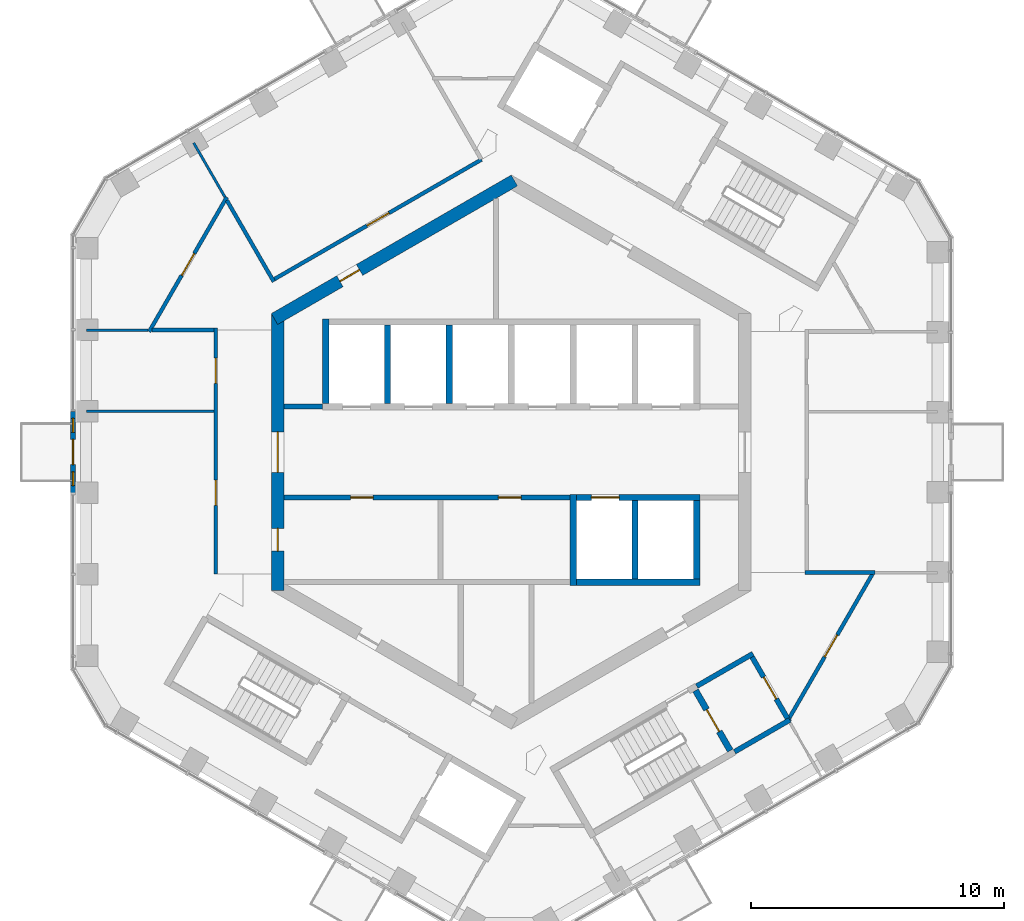
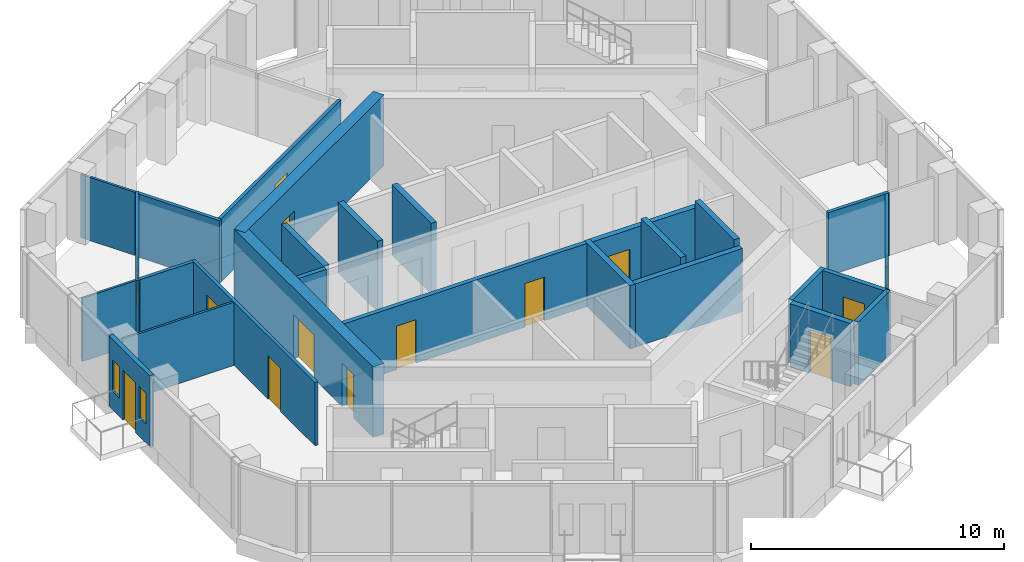
# One storey, part 14 of 19: 27 walls, 14 doors, 2 windows, 16 openings.
"""IFC4 building model written with IfcOpenShell, lengths in metres."""

from ifc_helpers import new_model, si_unit, direction, frame, frame_2d, origin, place, context, subcontext, project, spatial, rectangle, extrude, material, layer, layer_set, type_object, element, fill, save


model = new_model("IFC4")

# Units and contexts
model_context = context("Model", 3, precision=1e-05, world=origin(), true_north=direction((0.0, 1.0)))
body_context = subcontext(model_context, "Body", "Model", "MODEL_VIEW")
ifc_project = project(units=[si_unit("LENGTHUNIT", "METRE"), si_unit("AREAUNIT", "SQUARE_METRE"), si_unit("VOLUMEUNIT", "CUBIC_METRE"), si_unit("PLANEANGLEUNIT", "RADIAN"), si_unit("MASSUNIT", "GRAM", prefix="KILO")], contexts=[model_context])

# Site, building, storey
site_placement = place(None, origin())
site = spatial("IfcSite", under=ifc_project, at=site_placement, CompositionType="ELEMENT")
building_placement = place(site_placement, origin())
building = spatial("IfcBuilding", under=site, at=building_placement, Name="Ayvan Gate Tower", CompositionType="ELEMENT")
storey_placement = place(building_placement, frame((0.0, 0.0, 222.300048828125)))
storey = spatial("IfcBuildingStorey", under=building, at=storey_placement, Name="L59", CompositionType="ELEMENT", Elevation=222.300048828125)

# Wall, openings, door, windows
ifc_material_1 = material(Name="Insulated metal panel wall")
ifc_layer_1 = layer(ifc_material_1, 0.199951171875)
ifc_layer_set_1 = layer_set([ifc_layer_1], Name="Insulated metal panel wall")
wall_type_1 = type_object("IfcWallType", Name="Balcony door wall 200", PredefinedType="SOLIDWALL", material=ifc_layer_set_1)
wall_1_placement = place(storey_placement, frame((-17.35302734375, 1.6142578125, 0.0), z_axis=(0.0, 0.0, 1.0), x_axis=(0.0, -1.0, 0.0)))
wall_1 = element("IfcWall", 1, at=wall_1_placement, inside=storey, type_object=wall_type_1, Name="EW:L59:3:2", PredefinedType="SOLIDWALL", context=body_context, shape_type="SweptSolid", body=[
    extrude(rectangle(XDim=3.22802734375, YDim=0.199951171875, at=frame_2d((1.614013671875, 0.0))), origin(), (0.0, 0.0, 1.0), 3.39990234375),
])
opening_1_placement = place(wall_1_placement, frame((1.114013671875, 0.0, 0.0)))
opening_1 = element("IfcOpeningElement", 2, at=opening_1_placement, cuts=wall_1, Name="Opening L59-D93", PredefinedType="OPENING", context=body_context, shape_type="SweptSolid", body=[
    extrude(rectangle(XDim=1.0, YDim=2.39990234375, at=frame_2d((0.5, 1.199951171875))), frame((0.0, 0.10986328125, 0.0), z_axis=(0.0, -1.0, 0.0), x_axis=(1.0, 0.0, 0.0)), (0.0, 0.0, 1.0), 0.219970703125),
])
opening_2_placement = place(wall_1_placement, frame((0.281982421875, 0.0, 0.89990234375)))
opening_2 = element("IfcOpeningElement", 3, at=opening_2_placement, cuts=wall_1, Name="Opening W-B4", PredefinedType="OPENING", context=body_context, shape_type="SweptSolid", body=[
    extrude(rectangle(XDim=0.550048828125, YDim=1.5, at=frame_2d((0.27490234375, 0.75))), frame((0.0, 0.10986328125, 0.0), z_axis=(0.0, -1.0, 0.0), x_axis=(1.0, 0.0, 0.0)), (0.0, 0.0, 1.0), 0.219970703125),
])
opening_3_placement = place(wall_1_placement, frame((2.39599609375, 0.0, 0.89990234375)))
opening_3 = element("IfcOpeningElement", 4, at=opening_3_placement, cuts=wall_1, Name="Opening W-B4", PredefinedType="OPENING", context=body_context, shape_type="SweptSolid", body=[
    extrude(rectangle(XDim=0.550048828125, YDim=1.5, at=frame_2d((0.27490234375, 0.75))), frame((0.0, 0.10986328125, 0.0), z_axis=(0.0, -1.0, 0.0), x_axis=(1.0, 0.0, 0.0)), (0.0, 0.0, 1.0), 0.219970703125),
])
ifc_material_2 = material(Name="Bronze anodised aluminium and clear glass", Category="aluminium")
door_type_1 = type_object("IfcDoorType", Name="Balcony door D-B", OperationType="SINGLE_SWING_RIGHT", PredefinedType="DOOR", material=ifc_material_2)
door_1_placement = place(opening_1_placement, origin())
door_1 = element("IfcDoor", 5, at=door_1_placement, inside=storey, type_object=door_type_1, Name="Balcony door BAL-L59-3", OperationType="SINGLE_SWING_RIGHT", OverallHeight=2.39990234375, OverallWidth=1.0, PredefinedType="DOOR", context=body_context, shape_type="SweptSolid", body=[
    extrude(rectangle(XDim=1.0, YDim=2.39990234375, at=frame_2d((0.5, 1.199951171875))), frame((0.0, 0.02490234375, 0.0), z_axis=(0.0, -1.0, 0.0), x_axis=(1.0, 0.0, 0.0)), (0.0, 0.0, 1.0), 0.050048828125),
])
fill(opening_1, door_1)
window_type = type_object("IfcWindowType", Name="Balcony side light W-B Z4", PartitioningType="SINGLE_PANEL", PredefinedType="WINDOW", material=ifc_material_2)
window_1_placement = place(opening_2_placement, origin())
window_1 = element("IfcWindow", 6, at=window_1_placement, inside=storey, type_object=window_type, Name="Balcony side light BAL-L59-3.1", OverallHeight=1.5, OverallWidth=0.550048828125, PartitioningType="SINGLE_PANEL", PredefinedType="WINDOW", context=body_context, shape_type="SweptSolid", body=[
    extrude(rectangle(XDim=0.550048828125, YDim=1.5, at=frame_2d((0.27490234375, 0.75))), frame((0.0, 0.030029296875, 0.0), z_axis=(0.0, -1.0, 0.0), x_axis=(1.0, 0.0, 0.0)), (0.0, 0.0, 1.0), 0.06005859375),
])
fill(opening_2, window_1)
window_2_placement = place(opening_3_placement, origin())
window_2 = element("IfcWindow", 7, at=window_2_placement, inside=storey, type_object=window_type, Name="Balcony side light BAL-L59-3.2", OverallHeight=1.5, OverallWidth=0.550048828125, PartitioningType="SINGLE_PANEL", PredefinedType="WINDOW", context=body_context, shape_type="SweptSolid", body=[
    extrude(rectangle(XDim=0.550048828125, YDim=1.5, at=frame_2d((0.27490234375, 0.75))), frame((0.0, 0.030029296875, 0.0), z_axis=(0.0, -1.0, 0.0), x_axis=(1.0, 0.0, 0.0)), (0.0, 0.0, 1.0), 0.06005859375),
])
fill(opening_3, window_2)

# Wall, opening, door
ifc_material_3 = material(Name="Concrete C60/75", Category="concrete")
ifc_layer_2 = layer(ifc_material_3, 0.5)
ifc_layer_set_2 = layer_set([ifc_layer_2], Name="Concrete C60/75")
wall_type_2 = type_object("IfcWallType", Name="Core wall 500 C60/75", PredefinedType="SHEAR", material=ifc_layer_set_2)
wall_2_placement = place(storey_placement, frame((0.125, 10.753173828125, 0.0), z_axis=(0.0, 0.0, 1.0), x_axis=(-0.866023993627, -0.500002442456, 0.0)))
wall_2 = element("IfcWall", 8, at=wall_2_placement, inside=storey, type_object=wall_type_2, Name="CORE-L59-2", PredefinedType="SHEAR", context=body_context, shape_type="SweptSolid", body=[
    extrude(rectangle(XDim=10.9697265625, YDim=0.5, at=frame_2d((5.48486328125, 0.0))), origin(), (0.0, 0.0, 1.0), 3.39990234375),
])
opening_4_placement = place(wall_2_placement, frame((7.079833984375, 0.0, 0.0)))
opening_4 = element("IfcOpeningElement", 9, at=opening_4_placement, cuts=wall_2, Name="Opening L59-D96", PredefinedType="OPENING", context=body_context, shape_type="SweptSolid", body=[
    extrude(rectangle(XDim=0.89990234375, YDim=2.10009765625, at=frame_2d((0.449951171875, 1.050048828125))), frame((0.0, 0.260009765625, 0.0), z_axis=(0.0, -1.0, 0.0), x_axis=(1.0, 0.0, 0.0)), (0.0, 0.0, 1.0), 0.52001953125),
])
ifc_material_4 = material(Name="Timber door leaf", Category="wood")
door_type_2 = type_object("IfcDoorType", Name="DT-900", OperationType="NOTDEFINED", PredefinedType="DOOR", material=ifc_material_4)
door_2_placement = place(opening_4_placement, origin())
door_2 = element("IfcDoor", 10, at=door_2_placement, inside=storey, type_object=door_type_2, Name="CD-L59-96", OperationType="SINGLE_SWING_LEFT", OverallHeight=2.10009765625, OverallWidth=0.89990234375, PredefinedType="DOOR", context=body_context, shape_type="SweptSolid", body=[
    extrude(rectangle(XDim=0.89990234375, YDim=2.10009765625, at=frame_2d((0.449951171875, 1.050048828125))), frame((0.0, 0.02490234375, 0.0), z_axis=(0.0, -1.0, 0.0), x_axis=(1.0, 0.0, 0.0)), (0.0, 0.0, 1.0), 0.050048828125),
])
fill(opening_4, door_2)

# Wall, openings, doors
wall_3_placement = place(storey_placement, frame((-9.25, 5.48486328125, 0.0), z_axis=(0.0, 0.0, 1.0), x_axis=(0.0, -1.0, 0.0)))
wall_3 = element("IfcWall", 11, at=wall_3_placement, inside=storey, type_object=wall_type_2, Name="CORE-L59-3", PredefinedType="SHEAR", context=body_context, shape_type="SweptSolid", body=[
    extrude(rectangle(XDim=10.9697265625, YDim=0.5, at=frame_2d((5.48486328125, 0.0))), origin(), (0.0, 0.0, 1.0), 3.39990234375),
])
opening_5_placement = place(wall_3_placement, frame((8.509765625, 0.0, 0.0)))
opening_5 = element("IfcOpeningElement", 12, at=opening_5_placement, cuts=wall_3, Name="Opening L59-D101", PredefinedType="OPENING", context=body_context, shape_type="SweptSolid", body=[
    extrude(rectangle(XDim=0.89990234375, YDim=2.10009765625, at=frame_2d((0.449951171875, 1.050048828125))), frame((0.0, 0.260009765625, 0.0), z_axis=(0.0, -1.0, 0.0), x_axis=(1.0, 0.0, 0.0)), (0.0, 0.0, 1.0), 0.52001953125),
])
opening_6_placement = place(wall_3_placement, frame((4.684814453125, 0.0, 0.0)))
opening_6 = element("IfcOpeningElement", 13, at=opening_6_placement, cuts=wall_3, Name="Opening L59-D103", PredefinedType="OPENING", context=body_context, shape_type="SweptSolid", body=[
    extrude(rectangle(XDim=1.60009765625, YDim=2.10009765625, at=frame_2d((0.800048828125, 1.050048828125))), frame((0.0, 0.260009765625, 0.0), z_axis=(0.0, -1.0, 0.0), x_axis=(1.0, 0.0, 0.0)), (0.0, 0.0, 1.0), 0.52001953125),
])
door_type_3 = type_object("IfcDoorType", Name="DT-1600", OperationType="NOTDEFINED", PredefinedType="DOOR", material=ifc_material_4)
door_3_placement = place(opening_6_placement, origin())
door_3 = element("IfcDoor", 14, at=door_3_placement, inside=storey, type_object=door_type_3, Name="CD-L59-103", OperationType="SINGLE_SWING_RIGHT", OverallHeight=2.10009765625, OverallWidth=1.60009765625, PredefinedType="DOOR", context=body_context, shape_type="SweptSolid", body=[
    extrude(rectangle(XDim=1.60009765625, YDim=2.10009765625, at=frame_2d((0.800048828125, 1.050048828125))), frame((0.0, 0.02490234375, 0.0), z_axis=(0.0, -1.0, 0.0), x_axis=(1.0, 0.0, 0.0)), (0.0, 0.0, 1.0), 0.050048828125),
])
fill(opening_6, door_3)
door_4_placement = place(opening_5_placement, origin())
door_4 = element("IfcDoor", 15, at=door_4_placement, inside=storey, type_object=door_type_2, Name="CD-L59-101", OperationType="SINGLE_SWING_RIGHT", OverallHeight=2.10009765625, OverallWidth=0.89990234375, PredefinedType="DOOR", context=body_context, shape_type="SweptSolid", body=[
    extrude(rectangle(XDim=0.89990234375, YDim=2.10009765625, at=frame_2d((0.449951171875, 1.050048828125))), frame((0.0, 0.02490234375, 0.0), z_axis=(0.0, -1.0, 0.0), x_axis=(1.0, 0.0, 0.0)), (0.0, 0.0, 1.0), 0.050048828125),
])
fill(opening_5, door_4)

# Wall, opening, door
ifc_material_5 = material(Name="Plasterboard on steel stud", Category="steel")
ifc_layer_3 = layer(ifc_material_5, 0.14990234375)
ifc_layer_set_3 = layer_set([ifc_layer_3], Name="Plasterboard on steel stud")
wall_type_3 = type_object("IfcWallType", Name="WT-CORR-150", PredefinedType="PARTITIONING", material=ifc_layer_set_3)
wall_4_placement = place(storey_placement, frame((-14.339599609375, 4.766357421875, 0.0), z_axis=(0.0, 0.0, 1.0), x_axis=(0.500003992843, 0.866023098503, 0.0)))
wall_4 = element("IfcWall", 16, at=wall_4_placement, inside=storey, type_object=wall_type_3, Name="IW-L59-001", PredefinedType="PARTITIONING", context=body_context, shape_type="SweptSolid", body=[
    extrude(rectangle(XDim=6.1552734375, YDim=0.14990234375, at=frame_2d((3.07763671875, 0.0))), origin(), (0.0, 0.0, 1.0), 3.050048828125),
])
opening_7_placement = place(wall_4_placement, frame((2.57763671875, 0.0, 0.0)))
opening_7 = element("IfcOpeningElement", 17, at=opening_7_placement, cuts=wall_4, Name="Opening L59-D27", PredefinedType="OPENING", context=body_context, shape_type="SweptSolid", body=[
    extrude(rectangle(XDim=1.0, YDim=2.10009765625, at=frame_2d((0.5, 1.050048828125))), frame((0.0, 0.0849609375, 0.0), z_axis=(0.0, -1.0, 0.0), x_axis=(1.0, 0.0, 0.0)), (0.0, 0.0, 1.0), 0.169921875),
])
door_type_4 = type_object("IfcDoorType", Name="DT-1000", OperationType="NOTDEFINED", PredefinedType="DOOR", material=ifc_material_4)
door_5_placement = place(opening_7_placement, origin())
door_5 = element("IfcDoor", 18, at=door_5_placement, inside=storey, type_object=door_type_4, Name="ID-L59-027", OperationType="SINGLE_SWING_RIGHT", OverallHeight=2.10009765625, OverallWidth=1.0, PredefinedType="DOOR", context=body_context, shape_type="SweptSolid", body=[
    extrude(rectangle(XDim=1.0, YDim=2.10009765625, at=frame_2d((0.5, 1.050048828125))), frame((0.0, 0.02490234375, 0.0), z_axis=(0.0, -1.0, 0.0), x_axis=(1.0, 0.0, 0.0)), (0.0, 0.0, 1.0), 0.050048828125),
])
fill(opening_7, door_5)

# Wall, openings, doors
wall_5_placement = place(storey_placement, frame((-11.699951171875, -4.831298828125, 0.0), z_axis=(0.0, 0.0, 1.0), x_axis=(0.0, 1.0, 0.0)))
wall_5 = element("IfcWall", 19, at=wall_5_placement, inside=storey, type_object=wall_type_3, Name="IW-L59-005", PredefinedType="PARTITIONING", context=body_context, shape_type="SweptSolid", body=[
    extrude(rectangle(XDim=9.737548828125, YDim=0.14990234375, at=frame_2d((4.86865234375, 0.0))), origin(), (0.0, 0.0, 1.0), 3.050048828125),
])
opening_8_placement = place(wall_5_placement, frame((7.55224609375, 0.0, 0.0)))
opening_8 = element("IfcOpeningElement", 20, at=opening_8_placement, cuts=wall_5, Name="Opening L59-D28", PredefinedType="OPENING", context=body_context, shape_type="SweptSolid", body=[
    extrude(rectangle(XDim=1.0, YDim=2.10009765625, at=frame_2d((0.5, 1.050048828125))), frame((0.0, 0.0849609375, 0.0), z_axis=(0.0, -1.0, 0.0), x_axis=(1.0, 0.0, 0.0)), (0.0, 0.0, 1.0), 0.169921875),
])
opening_9_placement = place(wall_5_placement, frame((2.720458984375, 0.0, 0.0)))
opening_9 = element("IfcOpeningElement", 21, at=opening_9_placement, cuts=wall_5, Name="Opening L59-D29", PredefinedType="OPENING", context=body_context, shape_type="SweptSolid", body=[
    extrude(rectangle(XDim=1.0, YDim=2.10009765625, at=frame_2d((0.5, 1.050048828125))), frame((0.0, 0.0849609375, 0.0), z_axis=(0.0, -1.0, 0.0), x_axis=(1.0, 0.0, 0.0)), (0.0, 0.0, 1.0), 0.169921875),
])
door_6_placement = place(opening_8_placement, origin())
door_6 = element("IfcDoor", 22, at=door_6_placement, inside=storey, type_object=door_type_4, Name="ID-L59-028", OperationType="SINGLE_SWING_LEFT", OverallHeight=2.10009765625, OverallWidth=1.0, PredefinedType="DOOR", context=body_context, shape_type="SweptSolid", body=[
    extrude(rectangle(XDim=1.0, YDim=2.10009765625, at=frame_2d((0.5, 1.050048828125))), frame((0.0, 0.02490234375, 0.0), z_axis=(0.0, -1.0, 0.0), x_axis=(1.0, 0.0, 0.0)), (0.0, 0.0, 1.0), 0.050048828125),
])
fill(opening_8, door_6)
door_7_placement = place(opening_9_placement, origin())
door_7 = element("IfcDoor", 23, at=door_7_placement, inside=storey, type_object=door_type_4, Name="ID-L59-029", OperationType="SINGLE_SWING_RIGHT", OverallHeight=2.10009765625, OverallWidth=1.0, PredefinedType="DOOR", context=body_context, shape_type="SweptSolid", body=[
    extrude(rectangle(XDim=1.0, YDim=2.10009765625, at=frame_2d((0.5, 1.050048828125))), frame((0.0, 0.02490234375, 0.0), z_axis=(0.0, -1.0, 0.0), x_axis=(1.0, 0.0, 0.0)), (0.0, 0.0, 1.0), 0.050048828125),
])
fill(opening_9, door_7)

# Walls
wall_6_placement = place(storey_placement, frame((-11.77490234375, 4.831298828125, 0.0), z_axis=(0.0, 0.0, 1.0), x_axis=(-1.0, 0.0, 0.0)))
element("IfcWall", 24, at=wall_6_placement, inside=storey, type_object=wall_type_3, Name="IW-L59-007", PredefinedType="PARTITIONING", context=body_context, shape_type="SweptSolid", body=[
    extrude(rectangle(XDim=2.4521484375, YDim=0.14990234375, at=frame_2d((1.22607421875, 0.0))), origin(), (0.0, 0.0, 1.0), 3.050048828125),
])
wall_7_placement = place(storey_placement, frame((-11.261962890625, 9.967041015625, 0.0), z_axis=(0.0, 0.0, 1.0), x_axis=(0.499995303914, -0.866028115054, 0.0)))
element("IfcWall", 25, at=wall_7_placement, inside=storey, type_object=wall_type_3, Name="IW-L59-008", PredefinedType="PARTITIONING", context=body_context, shape_type="SweptSolid", body=[
    extrude(rectangle(XDim=3.7177734375, YDim=0.14990234375, at=frame_2d((1.85888671875, 0.0))), origin(), (0.0, 0.0, 1.0), 3.050048828125),
])

# Wall, opening, door
wall_8_placement = place(storey_placement, frame((-9.375732421875, 6.849853515625, 0.0), z_axis=(0.0, 0.0, 1.0), x_axis=(0.866029654818, 0.499992636921, 0.0)))
wall_8 = element("IfcWall", 26, at=wall_8_placement, inside=storey, type_object=wall_type_3, Name="IW-L59-009", PredefinedType="PARTITIONING", context=body_context, shape_type="SweptSolid", body=[
    extrude(rectangle(XDim=9.464599609375, YDim=0.14990234375, at=frame_2d((4.732421875, 0.0))), origin(), (0.0, 0.0, 1.0), 3.050048828125),
])
opening_10_placement = place(wall_8_placement, frame((4.232177734375, 0.0, 0.0)))
opening_10 = element("IfcOpeningElement", 27, at=opening_10_placement, cuts=wall_8, Name="Opening L59-D35", PredefinedType="OPENING", context=body_context, shape_type="SweptSolid", body=[
    extrude(rectangle(XDim=1.0, YDim=2.10009765625, at=frame_2d((0.5, 1.050048828125))), frame((0.0, 0.0849609375, 0.0), z_axis=(0.0, -1.0, 0.0), x_axis=(1.0, 0.0, 0.0)), (0.0, 0.0, 1.0), 0.169921875),
])
door_8_placement = place(opening_10_placement, origin())
door_8 = element("IfcDoor", 28, at=door_8_placement, inside=storey, type_object=door_type_4, Name="ID-L59-035", OperationType="SINGLE_SWING_RIGHT", OverallHeight=2.10009765625, OverallWidth=1.0, PredefinedType="DOOR", context=body_context, shape_type="SweptSolid", body=[
    extrude(rectangle(XDim=1.0, YDim=2.10009765625, at=frame_2d((0.5, 1.050048828125))), frame((0.0, 0.02490234375, 0.0), z_axis=(0.0, -1.0, 0.0), x_axis=(1.0, 0.0, 0.0)), (0.0, 0.0, 1.0), 0.050048828125),
])
fill(opening_10, door_8)

# Wall
wall_9_placement = place(storey_placement, frame((11.625, -4.769775390625, 0.0), z_axis=(0.0, 0.0, 1.0), x_axis=(1.0, 0.0, 0.0)))
element("IfcWall", 29, at=wall_9_placement, inside=storey, type_object=wall_type_3, Name="IW-L59-069", PredefinedType="PARTITIONING", context=body_context, shape_type="SweptSolid", body=[
    extrude(rectangle(XDim=2.78759765625, YDim=0.14990234375, at=frame_2d((1.393798828125, 0.0))), origin(), (0.0, 0.0, 1.0), 3.050048828125),
])

# Wall, opening, door
wall_10_placement = place(storey_placement, frame((14.30029296875, -4.834716796875, 0.0), z_axis=(0.0, 0.0, 1.0), x_axis=(-0.500038206906, -0.866003343893, 0.0)))
wall_10 = element("IfcWall", 30, at=wall_10_placement, inside=storey, type_object=wall_type_3, Name="IW-L59-079", PredefinedType="PARTITIONING", context=body_context, shape_type="SweptSolid", body=[
    extrude(rectangle(XDim=6.55908203125, YDim=0.14990234375, at=frame_2d((3.279541015625, 0.0))), origin(), (0.0, 0.0, 1.0), 3.050048828125),
])
opening_11_placement = place(wall_10_placement, frame((2.779541015625, 0.0, 0.0)))
opening_11 = element("IfcOpeningElement", 31, at=opening_11_placement, cuts=wall_10, Name="Opening L59-D33", PredefinedType="OPENING", context=body_context, shape_type="SweptSolid", body=[
    extrude(rectangle(XDim=1.0, YDim=2.10009765625, at=frame_2d((0.5, 1.050048828125))), frame((0.0, 0.0849609375, 0.0), z_axis=(0.0, -1.0, 0.0), x_axis=(1.0, 0.0, 0.0)), (0.0, 0.0, 1.0), 0.169921875),
])
door_9_placement = place(opening_11_placement, origin())
door_9 = element("IfcDoor", 32, at=door_9_placement, inside=storey, type_object=door_type_4, Name="ID-L59-033", OperationType="SINGLE_SWING_RIGHT", OverallHeight=2.10009765625, OverallWidth=1.0, PredefinedType="DOOR", context=body_context, shape_type="SweptSolid", body=[
    extrude(rectangle(XDim=1.0, YDim=2.10009765625, at=frame_2d((0.5, 1.050048828125))), frame((0.0, 0.02490234375, 0.0), z_axis=(0.0, -1.0, 0.0), x_axis=(1.0, 0.0, 0.0)), (0.0, 0.0, 1.0), 0.050048828125),
])
fill(opening_11, door_9)

# Walls
ifc_layer_4 = layer(ifc_material_5, 0.10009765625)
ifc_layer_set_4 = layer_set([ifc_layer_4], Name="Plasterboard on steel stud")
wall_type_4 = type_object("IfcWallType", Name="WT-PART-100", PredefinedType="PARTITIONING", material=ifc_layer_set_4)
wall_11_placement = place(storey_placement, frame((-14.377197265625, 4.831298828125, 0.0), z_axis=(0.0, 0.0, 1.0), x_axis=(-1.0, 0.0, 0.0)))
element("IfcWall", 33, at=wall_11_placement, inside=storey, type_object=wall_type_4, Name="IW-L59-000", PredefinedType="PARTITIONING", context=body_context, shape_type="SweptSolid", body=[
    extrude(rectangle(XDim=2.450927734375, YDim=0.10009765625, at=frame_2d((1.2255859375, 0.0))), origin(), (0.0, 0.0, 1.0), 3.050048828125),
])
wall_12_placement = place(storey_placement, frame((-12.574462890625, 12.240234375, 0.0), z_axis=(0.0, 0.0, 1.0), x_axis=(0.500032699561, -0.866006523861, 0.0)))
element("IfcWall", 34, at=wall_12_placement, inside=storey, type_object=wall_type_4, Name="IW-L59-003", PredefinedType="PARTITIONING", context=body_context, shape_type="SweptSolid", body=[
    extrude(rectangle(XDim=2.474853515625, YDim=0.10009765625, at=frame_2d((1.2373046875, 0.0))), origin(), (0.0, 0.0, 1.0), 3.050048828125),
])
wall_13_placement = place(storey_placement, frame((-11.77490234375, 1.6103515625, 0.0), z_axis=(0.0, 0.0, 1.0), x_axis=(-1.0, 0.0, 0.0)))
element("IfcWall", 35, at=wall_13_placement, inside=storey, type_object=wall_type_4, Name="IW-L59-006", PredefinedType="PARTITIONING", context=body_context, shape_type="SweptSolid", body=[
    extrude(rectangle(XDim=5.05322265625, YDim=0.10009765625, at=frame_2d((2.526611328125, 0.0))), origin(), (0.0, 0.0, 1.0), 3.050048828125),
])
ifc_layer_5 = layer(ifc_material_5, 0.199951171875)
ifc_layer_set_5 = layer_set([ifc_layer_5], Name="Plasterboard on steel stud")
wall_type_5 = type_object("IfcWallType", Name="WT-RATED-200", PredefinedType="PARTITIONING", material=ifc_layer_set_5)
wall_14_placement = place(storey_placement, frame((-9.0, 1.800048828125, 0.0), z_axis=(0.0, 0.0, 1.0), x_axis=(1.0, 0.0, 0.0)))
element("IfcWall", 36, at=wall_14_placement, inside=storey, type_object=wall_type_5, Name="IW-L59-010", PredefinedType="PARTITIONING", context=body_context, shape_type="SweptSolid", body=[
    extrude(rectangle(XDim=1.525146484375, YDim=0.199951171875, at=frame_2d((0.7626953125, 0.0))), origin(), (0.0, 0.0, 1.0), 3.050048828125),
])

# Wall, openings, doors
wall_15_placement = place(storey_placement, frame((-9.0, -1.800048828125, 0.0), z_axis=(0.0, 0.0, 1.0), x_axis=(1.0, 0.0, 0.0)))
wall_15 = element("IfcWall", 37, at=wall_15_placement, inside=storey, type_object=wall_type_5, Name="IW-L59-024", PredefinedType="PARTITIONING", context=body_context, shape_type="SweptSolid", body=[
    extrude(rectangle(XDim=11.3251953125, YDim=0.199951171875, at=frame_2d((5.66259765625, 0.0))), origin(), (0.0, 0.0, 1.0), 3.050048828125),
])
opening_12_placement = place(wall_15_placement, frame((2.635009765625, 0.0, 0.0)))
opening_12 = element("IfcOpeningElement", 38, at=opening_12_placement, cuts=wall_15, Name="Opening L59-D08", PredefinedType="OPENING", context=body_context, shape_type="SweptSolid", body=[
    extrude(rectangle(XDim=0.89990234375, YDim=2.10009765625, at=frame_2d((0.449951171875, 1.050048828125))), frame((0.0, 0.10986328125, 0.0), z_axis=(0.0, -1.0, 0.0), x_axis=(1.0, 0.0, 0.0)), (0.0, 0.0, 1.0), 0.219970703125),
])
opening_13_placement = place(wall_15_placement, frame((8.487548828125, 0.0, 0.0)))
opening_13 = element("IfcOpeningElement", 39, at=opening_13_placement, cuts=wall_15, Name="Opening L59-D09", PredefinedType="OPENING", context=body_context, shape_type="SweptSolid", body=[
    extrude(rectangle(XDim=0.89990234375, YDim=2.10009765625, at=frame_2d((0.449951171875, 1.050048828125))), frame((0.0, 0.10986328125, 0.0), z_axis=(0.0, -1.0, 0.0), x_axis=(1.0, 0.0, 0.0)), (0.0, 0.0, 1.0), 0.219970703125),
])
door_10_placement = place(opening_12_placement, origin())
door_10 = element("IfcDoor", 40, at=door_10_placement, inside=storey, type_object=door_type_2, Name="ID-L59-008", OperationType="SINGLE_SWING_LEFT", OverallHeight=2.10009765625, OverallWidth=0.89990234375, PredefinedType="DOOR", context=body_context, shape_type="SweptSolid", body=[
    extrude(rectangle(XDim=0.89990234375, YDim=2.10009765625, at=frame_2d((0.449951171875, 1.050048828125))), frame((0.0, 0.02490234375, 0.0), z_axis=(0.0, -1.0, 0.0), x_axis=(1.0, 0.0, 0.0)), (0.0, 0.0, 1.0), 0.050048828125),
])
fill(opening_12, door_10)
door_11_placement = place(opening_13_placement, origin())
door_11 = element("IfcDoor", 41, at=door_11_placement, inside=storey, type_object=door_type_2, Name="ID-L59-009", OperationType="SINGLE_SWING_RIGHT", OverallHeight=2.10009765625, OverallWidth=0.89990234375, PredefinedType="DOOR", context=body_context, shape_type="SweptSolid", body=[
    extrude(rectangle(XDim=0.89990234375, YDim=2.10009765625, at=frame_2d((0.449951171875, 1.050048828125))), frame((0.0, 0.02490234375, 0.0), z_axis=(0.0, -1.0, 0.0), x_axis=(1.0, 0.0, 0.0)), (0.0, 0.0, 1.0), 0.050048828125),
])
fill(opening_13, door_11)

# Wall
wall_16_placement = place(storey_placement, frame((7.343994140625, -9.27001953125, 0.0), z_axis=(0.0, 0.0, 1.0), x_axis=(0.866005588531, 0.500034319456, 0.0)))
element("IfcWall", 42, at=wall_16_placement, inside=storey, type_object=wall_type_5, Name="IW-L59-059", PredefinedType="PARTITIONING", context=body_context, shape_type="SweptSolid", body=[
    extrude(rectangle(XDim=2.574951171875, YDim=0.199951171875, at=frame_2d((1.28759765625, 0.0))), origin(), (0.0, 0.0, 1.0), 3.050048828125),
])

# Wall, opening, door
wall_17_placement = place(storey_placement, frame((9.537353515625, -8.119140625, 0.0), z_axis=(0.0, 0.0, 1.0), x_axis=(0.500021781351, -0.86601282795, 0.0)))
wall_17 = element("IfcWall", 43, at=wall_17_placement, inside=storey, type_object=wall_type_5, Name="IW-L59-067", PredefinedType="PARTITIONING", context=body_context, shape_type="SweptSolid", body=[
    extrude(rectangle(XDim=2.941650390625, YDim=0.199951171875, at=frame_2d((1.470703125, 0.0))), origin(), (0.0, 0.0, 1.0), 3.050048828125),
])
opening_14_placement = place(wall_17_placement, frame((0.916015625, 0.0, 0.0)))
opening_14 = element("IfcOpeningElement", 44, at=opening_14_placement, cuts=wall_17, Name="Opening L59-D19", PredefinedType="OPENING", context=body_context, shape_type="SweptSolid", body=[
    extrude(rectangle(XDim=1.0, YDim=2.10009765625, at=frame_2d((0.5, 1.050048828125))), frame((0.0, 0.10986328125, 0.0), z_axis=(0.0, -1.0, 0.0), x_axis=(1.0, 0.0, 0.0)), (0.0, 0.0, 1.0), 0.219970703125),
])
door_12_placement = place(opening_14_placement, origin())
door_12 = element("IfcDoor", 45, at=door_12_placement, inside=storey, type_object=door_type_4, Name="ID-L59-019", OperationType="SINGLE_SWING_RIGHT", OverallHeight=2.10009765625, OverallWidth=1.0, PredefinedType="DOOR", context=body_context, shape_type="SweptSolid", body=[
    extrude(rectangle(XDim=1.0, YDim=2.10009765625, at=frame_2d((0.5, 1.050048828125))), frame((0.0, 0.02490234375, 0.0), z_axis=(0.0, -1.0, 0.0), x_axis=(1.0, 0.0, 0.0)), (0.0, 0.0, 1.0), 0.050048828125),
])
fill(opening_14, door_12)

# Walls
wall_18_placement = place(storey_placement, frame((11.030517578125, -10.605712890625, 0.0), z_axis=(0.0, 0.0, 1.0), x_axis=(-0.866014894461, -0.50001820224, 0.0)))
element("IfcWall", 46, at=wall_18_placement, inside=storey, type_object=wall_type_5, Name="IW-L59-068", PredefinedType="PARTITIONING", context=body_context, shape_type="SweptSolid", body=[
    extrude(rectangle(XDim=2.52490234375, YDim=0.199951171875, at=frame_2d((1.262451171875, 0.0))), origin(), (0.0, 0.0, 1.0), 3.050048828125),
])
ifc_material_6 = material(Name="Concrete C50/60", Category="concrete")
ifc_layer_6 = layer(ifc_material_6, 0.25)
ifc_layer_set_6 = layer_set([ifc_layer_6], Name="Concrete C50/60")
wall_type_6 = type_object("IfcWallType", Name="WT-RC-250", PredefinedType="SHEAR", material=ifc_layer_set_6)
wall_19_placement = place(storey_placement, frame((-7.35009765625, 1.925048828125, 0.0), z_axis=(0.0, 0.0, 1.0), x_axis=(0.0, 1.0, 0.0)))
element("IfcWall", 47, at=wall_19_placement, inside=storey, type_object=wall_type_6, Name="IW-L59-014", PredefinedType="SHEAR", context=body_context, shape_type="SweptSolid", body=[
    extrude(rectangle(XDim=3.349853515625, YDim=0.25, at=frame_2d((1.6748046875, 0.0))), origin(), (0.0, 0.0, 1.0), 3.050048828125),
])
for number, where, z_axis, x_axis, name in (
    (48, (-4.89990234375, 5.02490234375, 0.0), (0.0, 0.0, 1.0), (0.0, -1.0, 0.0), "IW-L59-018"),
    (49, (-2.449951171875, 5.02490234375, 0.0), (0.0, 0.0, 1.0), (0.0, -1.0, 0.0), "IW-L59-027"),
):
    element("IfcWall", number, at=place(storey_placement, frame(where, z_axis=z_axis, x_axis=x_axis)), inside=storey, type_object=wall_type_6, Name=name, PredefinedType="SHEAR", context=body_context, shape_type="SweptSolid", body=[
        extrude(rectangle(XDim=3.099853515625, YDim=0.25, at=frame_2d((1.5498046875, 0.0))), origin(), (0.0, 0.0, 1.0), 3.39990234375),
    ])
wall_20_placement = place(storey_placement, frame((2.449951171875, -5.27490234375, 0.0), z_axis=(0.0, 0.0, 1.0), x_axis=(0.0, 1.0, 0.0)))
element("IfcWall", 50, at=wall_20_placement, inside=storey, type_object=wall_type_6, Name="IW-L59-041", PredefinedType="SHEAR", context=body_context, shape_type="SweptSolid", body=[
    extrude(rectangle(XDim=3.599853515625, YDim=0.25, at=frame_2d((1.7998046875, 0.0))), origin(), (0.0, 0.0, 1.0), 3.050048828125),
])
wall_21_placement = place(storey_placement, frame((2.574951171875, -5.14990234375, 0.0), z_axis=(0.0, 0.0, 1.0), x_axis=(1.0, 0.0, 0.0)))
element("IfcWall", 51, at=wall_21_placement, inside=storey, type_object=wall_type_6, Name="IW-L59-050", PredefinedType="SHEAR", context=body_context, shape_type="SweptSolid", body=[
    extrude(rectangle(XDim=4.900146484375, YDim=0.25, at=frame_2d((2.4501953125, 0.0))), origin(), (0.0, 0.0, 1.0), 3.050048828125),
])
wall_22_placement = place(storey_placement, frame((4.89990234375, -1.925048828125, 0.0), z_axis=(0.0, 0.0, 1.0), x_axis=(0.0, -1.0, 0.0)))
element("IfcWall", 52, at=wall_22_placement, inside=storey, type_object=wall_type_6, Name="IW-L59-051", PredefinedType="SHEAR", context=body_context, shape_type="SweptSolid", body=[
    extrude(rectangle(XDim=3.099853515625, YDim=0.25, at=frame_2d((1.5498046875, 0.0))), origin(), (0.0, 0.0, 1.0), 3.39990234375),
])

# Wall, opening, door
wall_23_placement = place(storey_placement, frame((2.574951171875, -1.800048828125, 0.0), z_axis=(0.0, 0.0, 1.0), x_axis=(1.0, 0.0, 0.0)))
wall_23 = element("IfcWall", 53, at=wall_23_placement, inside=storey, type_object=wall_type_6, Name="IW-L59-053", PredefinedType="SHEAR", context=body_context, shape_type="SweptSolid", body=[
    extrude(rectangle(XDim=4.900146484375, YDim=0.25, at=frame_2d((2.4501953125, 0.0))), origin(), (0.0, 0.0, 1.0), 3.050048828125),
])
opening_15_placement = place(wall_23_placement, frame((0.597412109375, 0.0, 0.0)))
opening_15 = element("IfcOpeningElement", 54, at=opening_15_placement, cuts=wall_23, Name="Opening L59-LD-SV", PredefinedType="OPENING", context=body_context, shape_type="SweptSolid", body=[
    extrude(rectangle(XDim=1.10009765625, YDim=2.10009765625, at=frame_2d((0.550048828125, 1.050048828125))), frame((0.0, 0.135009765625, 0.0), z_axis=(0.0, -1.0, 0.0), x_axis=(1.0, 0.0, 0.0)), (0.0, 0.0, 1.0), 0.27001953125),
])
ifc_material_7 = material(Name="Stainless steel landing door", Category="steel")
door_type_5 = type_object("IfcDoorType", Name="DT-LANDING-1100", OperationType="SLIDING_TO_LEFT", PredefinedType="DOOR", material=ifc_material_7)
door_13_placement = place(opening_15_placement, origin())
door_13 = element("IfcDoor", 55, at=door_13_placement, inside=storey, type_object=door_type_5, Name="ID-L59-007", OperationType="SLIDING_TO_LEFT", OverallHeight=2.10009765625, OverallWidth=1.10009765625, PredefinedType="DOOR", context=body_context, shape_type="SweptSolid", body=[
    extrude(rectangle(XDim=1.10009765625, YDim=2.10009765625, at=frame_2d((0.550048828125, 1.050048828125))), frame((0.0, 0.02490234375, 0.0), z_axis=(0.0, -1.0, 0.0), x_axis=(1.0, 0.0, 0.0)), (0.0, 0.0, 1.0), 0.050048828125),
])
fill(opening_15, door_13)

wall_24_placement = place(storey_placement, frame((7.298095703125, -9.44091796875, 0.0), z_axis=(0.0, 0.0, 1.0), x_axis=(0.500034990121, -0.866005201286, 0.0)))
wall_24 = element("IfcWall", 56, at=wall_24_placement, inside=storey, type_object=wall_type_6, Name="IW-L59-058", PredefinedType="SHEAR", context=body_context, shape_type="SweptSolid", body=[
    extrude(rectangle(XDim=2.749755859375, YDim=0.25, at=frame_2d((1.375, 0.0))), origin(), (0.0, 0.0, 1.0), 3.050048828125),
])
opening_16_placement = place(wall_24_placement, frame((0.875, 0.0, 0.0)))
opening_16 = element("IfcOpeningElement", 57, at=opening_16_placement, cuts=wall_24, Name="Opening L59-D20", PredefinedType="OPENING", context=body_context, shape_type="SweptSolid", body=[
    extrude(rectangle(XDim=1.0, YDim=2.10009765625, at=frame_2d((0.5, 1.050048828125))), frame((0.0, 0.135009765625, 0.0), z_axis=(0.0, -1.0, 0.0), x_axis=(1.0, 0.0, 0.0)), (0.0, 0.0, 1.0), 0.27001953125),
])
door_14_placement = place(opening_16_placement, origin())
door_14 = element("IfcDoor", 58, at=door_14_placement, inside=storey, type_object=door_type_4, Name="ID-L59-020", OperationType="SINGLE_SWING_LEFT", OverallHeight=2.10009765625, OverallWidth=1.0, PredefinedType="DOOR", context=body_context, shape_type="SweptSolid", body=[
    extrude(rectangle(XDim=1.0, YDim=2.10009765625, at=frame_2d((0.5, 1.050048828125))), frame((0.0, 0.02490234375, 0.0), z_axis=(0.0, -1.0, 0.0), x_axis=(1.0, 0.0, 0.0)), (0.0, 0.0, 1.0), 0.050048828125),
])
fill(opening_16, door_14)

# Wall
wall_25_placement = place(storey_placement, frame((7.35009765625, -1.925048828125, 0.0), z_axis=(0.0, 0.0, 1.0), x_axis=(0.0, -1.0, 0.0)))
element("IfcWall", 59, at=wall_25_placement, inside=storey, type_object=wall_type_6, Name="IW-L59-061", PredefinedType="SHEAR", context=body_context, shape_type="SweptSolid", body=[
    extrude(rectangle(XDim=3.099853515625, YDim=0.25, at=frame_2d((1.5498046875, 0.0))), origin(), (0.0, 0.0, 1.0), 3.39990234375),
])

save(model, "model.ifc")
